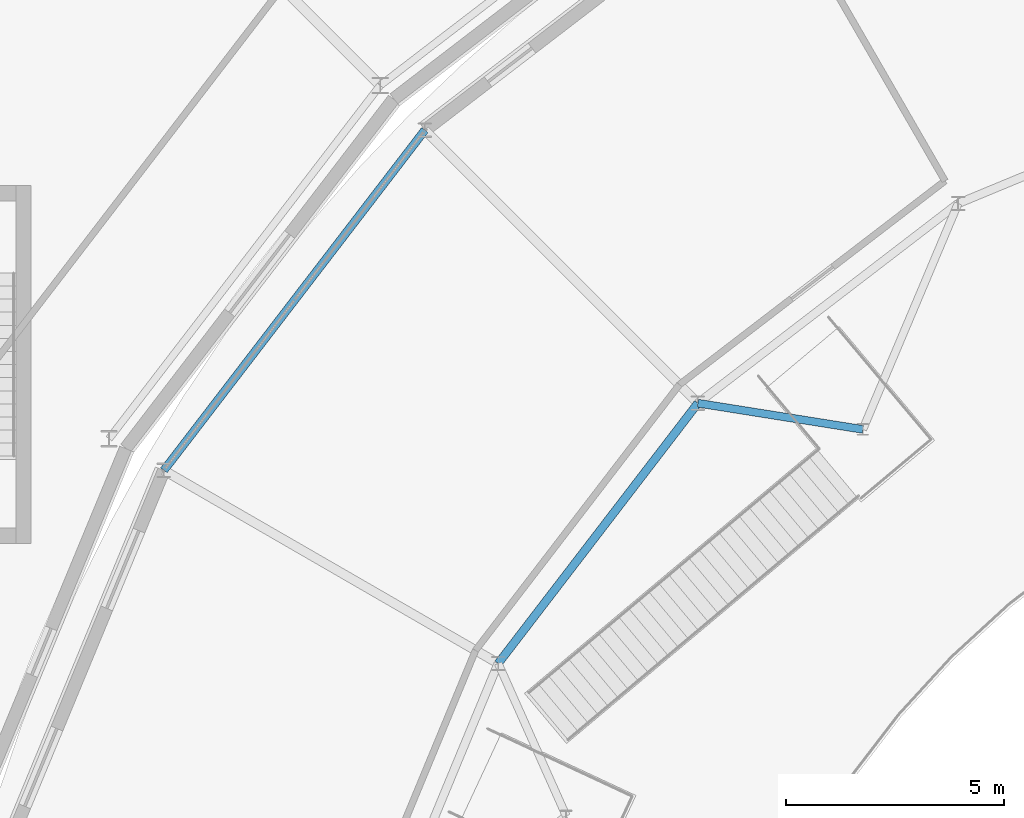
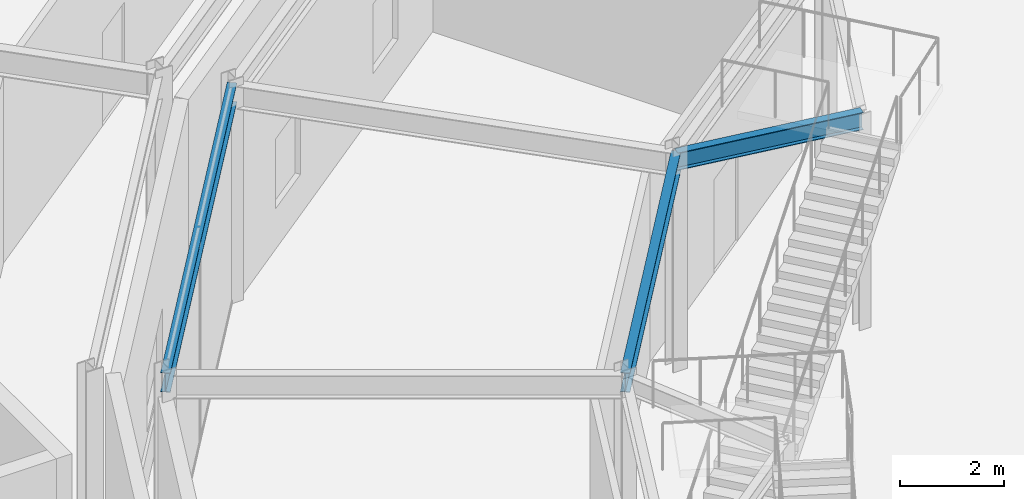
# One storey, part 66 of 168: 3 beams.
"""IFC4 building model written with IfcOpenShell, lengths in metres."""

from ifc_helpers import new_model, si_unit, direction, frame, origin, origin_2d, place, context, subcontext, project, spatial, i_section, extrude, material, material_profile, profile_set, type_object, element, save


model = new_model("IFC4")

# Units and contexts
model_context = context("Model", 3, precision=1e-05, world=origin(), true_north=direction((0.0, 1.0)))
body_context = subcontext(model_context, "Body", "Model", "MODEL_VIEW")
ifc_project = project(units=[si_unit("LENGTHUNIT", "METRE"), si_unit("AREAUNIT", "SQUARE_METRE"), si_unit("VOLUMEUNIT", "CUBIC_METRE"), si_unit("PLANEANGLEUNIT", "RADIAN"), si_unit("MASSUNIT", "GRAM", prefix="KILO")], contexts=[model_context])

# Site, building, storey
site_placement = place(None, origin())
site = spatial("IfcSite", under=ifc_project, at=site_placement, CompositionType="ELEMENT")
building_placement = place(site_placement, origin())
building = spatial("IfcBuilding", under=site, at=building_placement, Name="Almandine Court Research Institute", CompositionType="ELEMENT")
storey_placement = place(building_placement, origin())
storey = spatial("IfcBuildingStorey", under=building, at=storey_placement, Name="L00", CompositionType="ELEMENT", Elevation=0.0)

# Beams
ifc_material = material(Name="Steel ASTM A992 Grade 50", Category="steel")
ifc_material_profile_1 = material_profile(ifc_material, i_section(OverallWidth=0.18994140625, OverallDepth=0.45703125, WebThickness=0.009033203125, FlangeThickness=0.014892578125, at=origin_2d()), Name="W460x74")
ifc_profile_set_1 = profile_set([ifc_material_profile_1], Name="Steel ASTM A992 Grade 50")
beam_type_1 = type_object("IfcBeamType", Name="Beam-B-01", PredefinedType="BEAM", material=ifc_profile_set_1)
beam_1_placement = place(storey_placement, frame((60.376953125, 82.623046875, 4.841064453125), z_axis=(-0.608711534396, -0.793391623282, 0.0), x_axis=(0.793391623282, -0.608711534396, 0.0)))
element("IfcBeam", 1, at=beam_1_placement, inside=storey, type_object=beam_type_1, Name="L00 Atrium Outer Ring Beam", PredefinedType="BEAM", context=body_context, shape_type="SweptSolid", body=[
    extrude(i_section(OverallWidth=0.18994140625, OverallDepth=0.45703125, WebThickness=0.009033203125, FlangeThickness=0.014892578125, at=origin_2d()), origin(), (0.0, 0.0, 1.0), 9.828857421875),
])
beam_2_placement = place(storey_placement, frame((66.635009765625, 76.364990234375, 4.841064453125), z_axis=(-0.608738941187, -0.793370595297, 0.0), x_axis=(0.793370595297, -0.608738941187, 0.0)))
element("IfcBeam", 2, at=beam_2_placement, inside=storey, type_object=beam_type_1, Name="L00 Atrium Gallery Edge Beam", PredefinedType="BEAM", context=body_context, shape_type="SweptSolid", body=[
    extrude(i_section(OverallWidth=0.18994140625, OverallDepth=0.45703125, WebThickness=0.009033203125, FlangeThickness=0.014892578125, at=origin_2d()), origin(), (0.0, 0.0, 1.0), 7.5185546875),
])
ifc_material_profile_2 = material_profile(ifc_material, i_section(OverallWidth=0.178955078125, OverallDepth=0.409912109375, WebThickness=0.009033203125, FlangeThickness=0.013916015625, at=origin_2d()), Name="W410x67")
ifc_profile_set_2 = profile_set([ifc_material_profile_2], Name="Steel ASTM A992 Grade 50")
beam_type_2 = type_object("IfcBeamType", Name="Beam-B-02", PredefinedType="JOIST", material=ifc_profile_set_2)
beam_3_placement = place(storey_placement, frame((70.416015625, 75.763916015625, 4.864990234375), z_axis=(-0.987598514971, 0.157000551679, 0.0), x_axis=(-0.157000551679, -0.987598514971, 0.0)))
element("IfcBeam", 3, at=beam_3_placement, inside=storey, type_object=beam_type_2, Name="L00 Atrium Stair 3 Landing Support Beam 2", PredefinedType="JOIST", context=body_context, shape_type="SweptSolid", body=[
    extrude(i_section(OverallWidth=0.178955078125, OverallDepth=0.409912109375, WebThickness=0.009033203125, FlangeThickness=0.013916015625, at=origin_2d()), origin(), (0.0, 0.0, 1.0), 3.828369140625),
])

save(model, "model.ifc")
